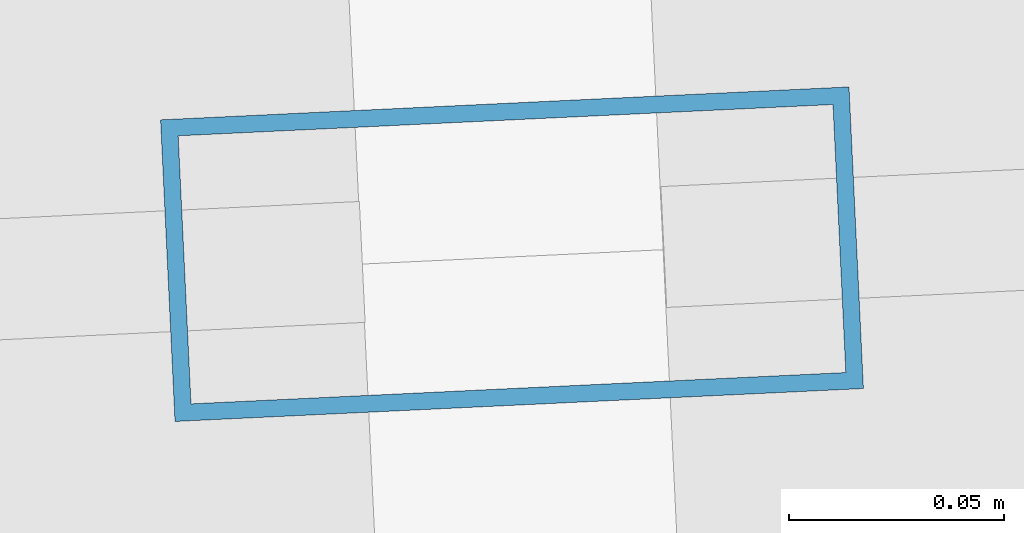
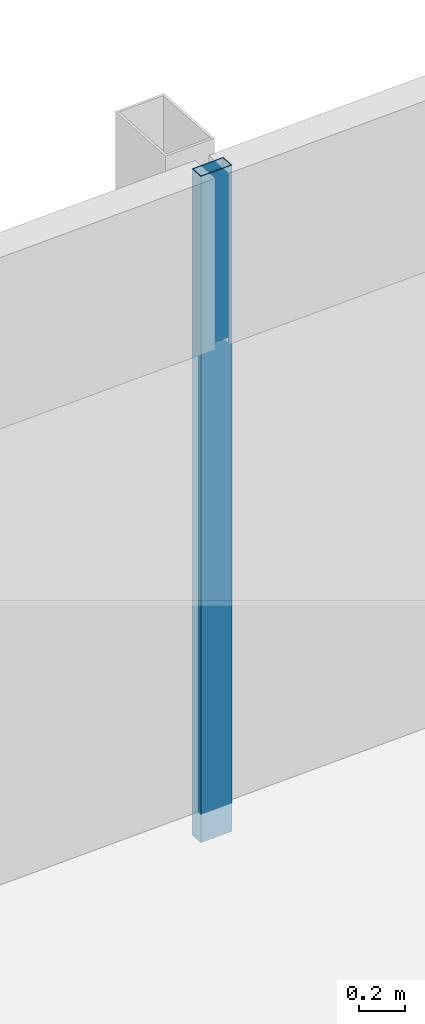
# One storey, part 19 of 37: 1 member, 1 element without a shape of its own.
"""IFC4 building model written with IfcOpenShell, lengths in metres."""

from ifc_helpers import new_model, si_unit, direction, frame, origin, origin_2d, place, context, subcontext, project, spatial, hollow_rectangle, extrude, material, material_profile, profile_set, type_object, element, aggregate, save


model = new_model("IFC4")

# Units and contexts
model_context = context("Model", 3, precision=1e-05, world=origin(), true_north=direction((0.0, 1.0)))
body_context = subcontext(model_context, "Body", "Model", "MODEL_VIEW")
ifc_project = project(units=[si_unit("LENGTHUNIT", "METRE"), si_unit("AREAUNIT", "SQUARE_METRE"), si_unit("VOLUMEUNIT", "CUBIC_METRE"), si_unit("PLANEANGLEUNIT", "RADIAN"), si_unit("MASSUNIT", "GRAM", prefix="KILO")], contexts=[model_context])

# Site, building, storey
site_placement = place(None, origin())
site = spatial("IfcSite", under=ifc_project, at=site_placement, CompositionType="ELEMENT")
building_placement = place(site_placement, origin())
building = spatial("IfcBuilding", under=site, at=building_placement, Name="Rekha Terrace Tower", CompositionType="ELEMENT")
storey_placement = place(building_placement, frame((0.0, 0.0, 232.699951171875)))
storey = spatial("IfcBuildingStorey", under=building, at=storey_placement, Name="L59", CompositionType="ELEMENT", Elevation=232.699951171875)

# Curtain wall, member
ifc_material_1 = material(Name="Aluminium framing", Category="aluminium")
curtain_wall_type = type_object("IfcCurtainWallType", Name="CW3 north unitised glazing", PredefinedType="USERDEFINED", material=ifc_material_1)
curtain_wall_placement = place(storey_placement, origin())
curtain_wall = element("IfcCurtainWall", 1, at=curtain_wall_placement, inside=storey, type_object=curtain_wall_type, Name="CW3 unitised curtain wall", ObjectType="UNITISED CURTAIN WALL", PredefinedType="USERDEFINED")
ifc_material_2 = material(Name="Aluminium mullion section", Category="aluminium")
ifc_material_profile = material_profile(ifc_material_2, hollow_rectangle(XDim=0.070068359375, YDim=0.159912109375, WallThickness=0.00390625, at=origin_2d()), Name="AL RHS 70x160")
ifc_profile_set = profile_set([ifc_material_profile], Name="Aluminium mullion section")
member_type = type_object("IfcMemberType", Name="CW3 mullion RHS 70 x 160", PredefinedType="MULLION", material=ifc_profile_set)
member_placement = place(storey_placement, frame((38.570068359375, 61.771240234375, 0.0), z_axis=(0.0, 0.0, 1.0), x_axis=(0.047758616983, -0.998858906204, 0.0)))
member = element("IfcMember", 2, at=member_placement, type_object=member_type, Name="CW3 mullion 2", PredefinedType="MULLION", context=body_context, shape_type="SweptSolid", body=[
    extrude(hollow_rectangle(XDim=0.070068359375, YDim=0.159912109375, WallThickness=0.00390625, at=origin_2d()), origin(), (0.0, 0.0, 1.0), 3.5),
])
aggregate(curtain_wall, [member])

save(model, "model.ifc")
